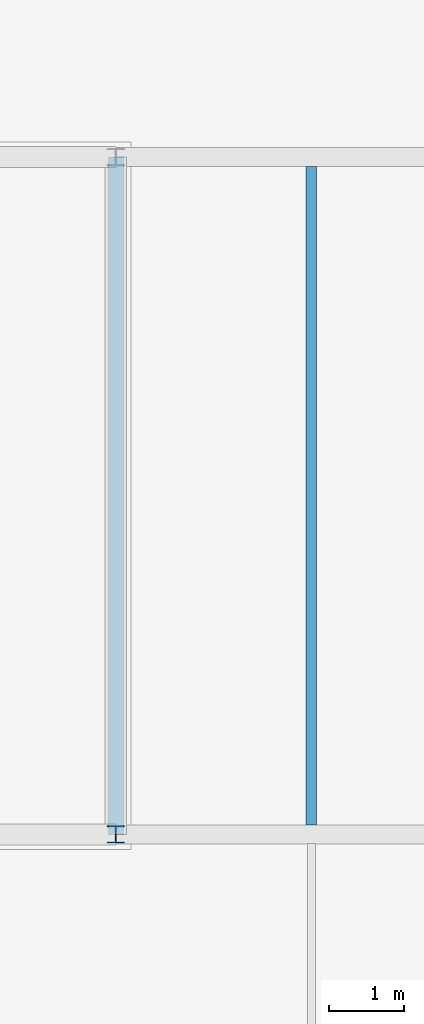
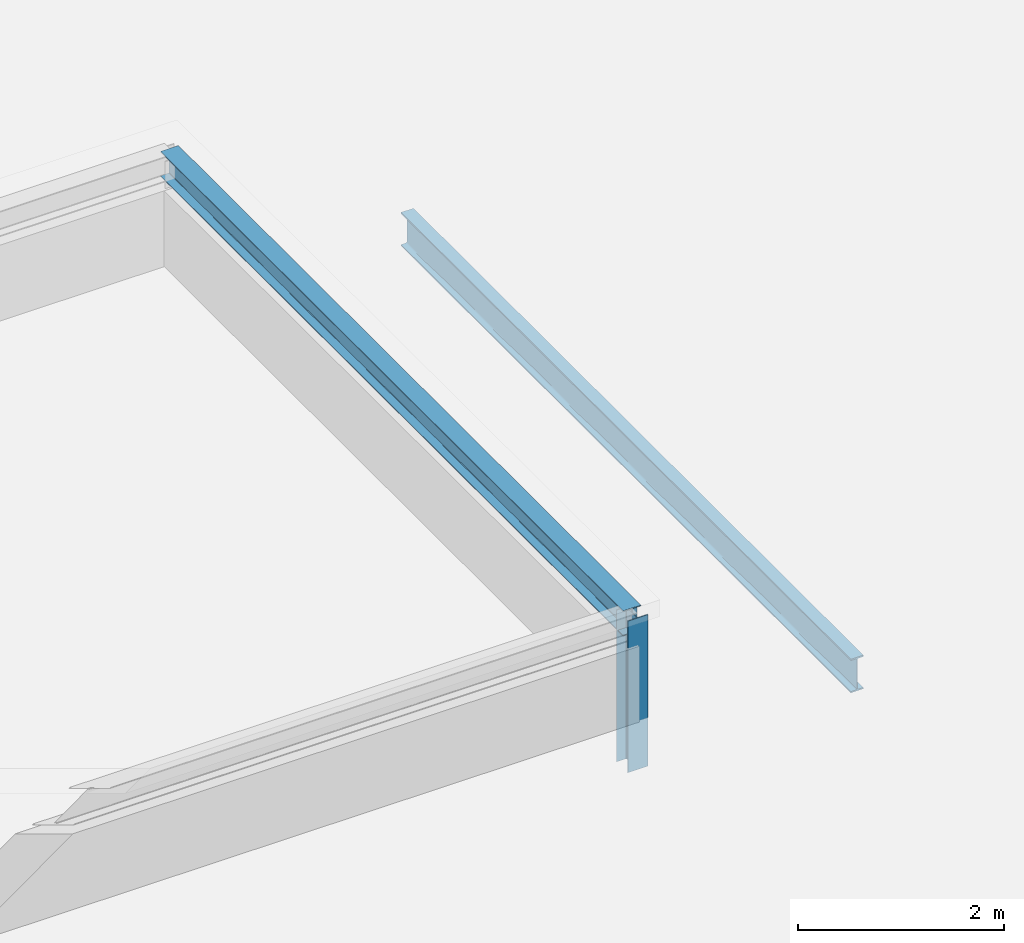
# One storey, part 4 of 9: 2 beams, 1 member.
"""IFC4 building model written with IfcOpenShell, lengths in metres."""

from ifc_helpers import new_model, si_unit, derived_unit, direction, frame, origin, origin_2d, place, context, subcontext, project, spatial, i_section, extrude, material, material_profile, profile_set, type_object, element, save


model = new_model("IFC4")

# Units and contexts
model_context = context("Model", 3, precision=1e-05, world=origin(), true_north=direction((0.0, 1.0)))
body_context = subcontext(model_context, "Body", "Model", "MODEL_VIEW")
ifc_project = project(units=[si_unit("LENGTHUNIT", "METRE"), si_unit("AREAUNIT", "SQUARE_METRE"), si_unit("VOLUMEUNIT", "CUBIC_METRE"), si_unit("PLANEANGLEUNIT", "RADIAN"), si_unit("MASSUNIT", "GRAM", prefix="KILO"), derived_unit("THERMALTRANSMITTANCEUNIT", [(si_unit("POWERUNIT", "WATT"), 1), (si_unit("LENGTHUNIT", "METRE"), -2), (si_unit("THERMODYNAMICTEMPERATUREUNIT", "KELVIN"), -1)])], contexts=[model_context])

# Site, building, storey
site_placement = place(None, origin())
site = spatial("IfcSite", under=ifc_project, at=site_placement, CompositionType="ELEMENT")
building_placement = place(site_placement, origin())
building = spatial("IfcBuilding", under=site, at=building_placement, Name="Nallur Shell Playhouse", CompositionType="ELEMENT")
storey_placement = place(building_placement, frame((0.0, 0.0, 31.199951171875)))
storey = spatial("IfcBuildingStorey", under=building, at=storey_placement, Name="RF2", CompositionType="ELEMENT", Elevation=31.199951171875)

# Beams
ifc_material_1 = material(Name="Steel E250", Category="steel")
ifc_material_profile_1 = material_profile(ifc_material_1, i_section(OverallWidth=0.139892578125, OverallDepth=0.39990234375, WebThickness=0.0087890625, FlangeThickness=0.01611328125, FilletRadius=0.013916015625, at=origin_2d()), Name="ISMB 400")
ifc_profile_set_1 = profile_set([ifc_material_profile_1], Name="Steel E250")
beam_type_1 = type_object("IfcBeamType", Name="BM-JST-ISMB400", PredefinedType="JOIST", material=ifc_profile_set_1)
beam_1_placement = place(storey_placement, frame((90.0, 56.123046875, -0.419921875), z_axis=(0.0, 1.0, 0.0), x_axis=(-1.0, 0.0, 0.0)))
element("IfcBeam", 1, at=beam_1_placement, inside=storey, type_object=beam_type_1, Name="RF2 secondary joist 11-G-1297", PredefinedType="JOIST", context=body_context, shape_type="SweptSolid", body=[
    extrude(i_section(OverallWidth=0.139892578125, OverallDepth=0.39990234375, WebThickness=0.0087890625, FlangeThickness=0.01611328125, FilletRadius=0.013916015625, at=origin_2d()), origin(), (0.0, 0.0, 1.0), 8.75390625),
])
ifc_material_profile_2 = material_profile(ifc_material_1, i_section(OverallWidth=0.199951171875, OverallDepth=0.300048828125, WebThickness=0.00732421875, FlangeThickness=0.010009765625, FilletRadius=0.010986328125, at=origin_2d()), Name="ISWB 300")
ifc_profile_set_2 = profile_set([ifc_material_profile_2], Name="Steel E250")
beam_type_2 = type_object("IfcBeamType", Name="BM-ST-ISWB300", PredefinedType="BEAM", material=ifc_profile_set_2)
beam_2_placement = place(storey_placement, frame((87.39990234375, 56.0, 1.199951171875), z_axis=(0.0, 1.0, 0.0), x_axis=(-1.0, 0.0, 0.0)))
element("IfcBeam", 2, at=beam_2_placement, inside=storey, type_object=beam_type_2, Name="Smoke lantern ring beam 2", PredefinedType="BEAM", context=body_context, shape_type="SweptSolid", body=[
    extrude(i_section(OverallWidth=0.199951171875, OverallDepth=0.300048828125, WebThickness=0.00732421875, FlangeThickness=0.010009765625, FilletRadius=0.010986328125, at=origin_2d()), origin(), (0.0, 0.0, 1.0), 9.0),
])

# Member
ifc_material_2 = material(Name="Steel E350", Category="steel")
ifc_material_profile_3 = material_profile(ifc_material_2, i_section(OverallWidth=0.22509765625, OverallDepth=0.22509765625, WebThickness=0.008544921875, FlangeThickness=0.009033203125, FilletRadius=0.010009765625, at=origin_2d()), Name="ISHB 225")
ifc_profile_set_3 = profile_set([ifc_material_profile_3], Name="Steel E350")
member_type = type_object("IfcMemberType", Name="MB-TR-POST", PredefinedType="POST", material=ifc_profile_set_3)
member_placement = place(storey_placement, frame((87.39990234375, 56.0, -0.5), z_axis=(0.0, 0.0, 1.0), x_axis=(1.0, 0.0, 0.0)))
element("IfcMember", 3, at=member_placement, inside=storey, type_object=member_type, Name="Smoke lantern corner column 2", PredefinedType="POST", context=body_context, shape_type="SweptSolid", body=[
    extrude(i_section(OverallWidth=0.22509765625, OverallDepth=0.22509765625, WebThickness=0.008544921875, FlangeThickness=0.009033203125, FilletRadius=0.010009765625, at=origin_2d()), origin(), (0.0, 0.0, 1.0), 1.800048828125),
])

save(model, "model.ifc")
